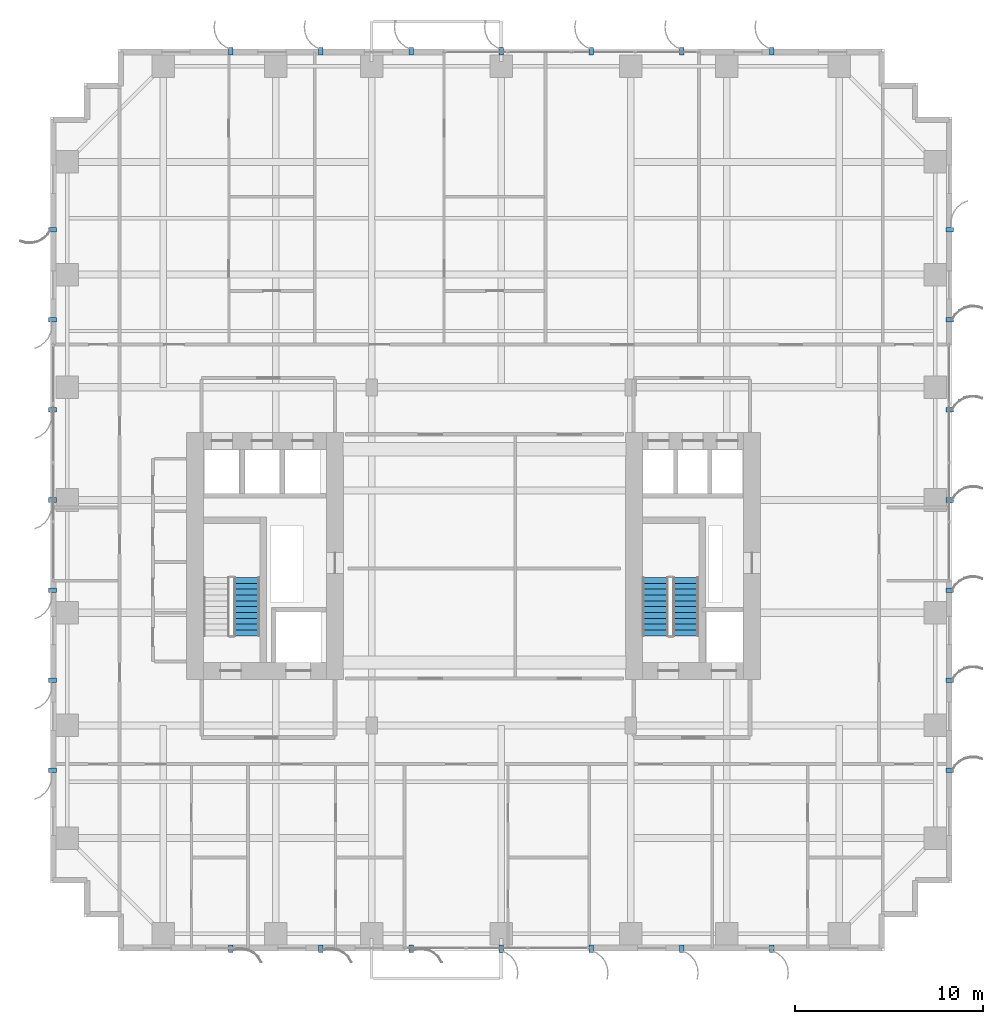
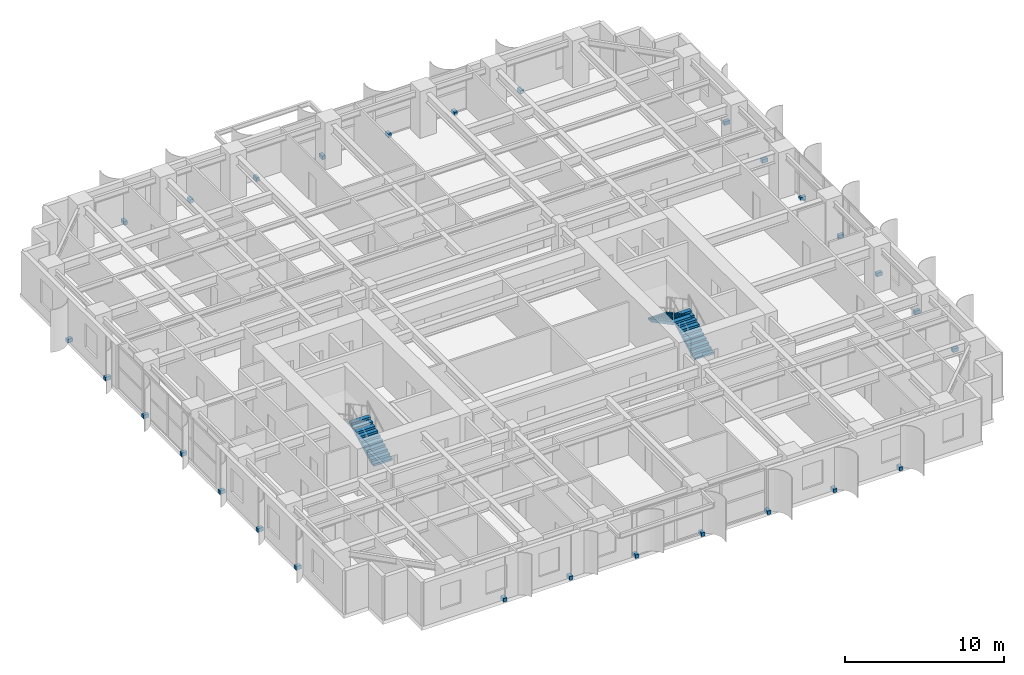
# One storey, part 19 of 22: 28 discrete accessories, 3 stair flights, 2 elements without a shape of their own.
"""IFC4 building model written with IfcOpenShell, lengths in metres."""

from ifc_helpers import new_model, si_unit, direction, frame, origin, origin_2d, place, context, subcontext, project, spatial, polyline, rectangle, outline, extrude, source, transform, mapped, material, type_object, element, aggregate, save


model = new_model("IFC4")

# Units and contexts
model_context = context("Model", 3, precision=1e-05, world=origin(), true_north=direction((0.0, 1.0)))
body_context = subcontext(model_context, "Body", "Model", "MODEL_VIEW")
ifc_project = project(units=[si_unit("LENGTHUNIT", "METRE"), si_unit("AREAUNIT", "SQUARE_METRE"), si_unit("VOLUMEUNIT", "CUBIC_METRE"), si_unit("PLANEANGLEUNIT", "RADIAN"), si_unit("MASSUNIT", "GRAM", prefix="KILO")], contexts=[model_context])

# Site, building, storey
site_placement = place(None, origin())
site = spatial("IfcSite", under=ifc_project, at=site_placement, CompositionType="ELEMENT")
building_placement = place(site_placement, origin())
building = spatial("IfcBuilding", under=site, at=building_placement, Name="Khoralis Quay Care Tower", CompositionType="ELEMENT")
storey_placement = place(building_placement, frame((0.0, 0.0, 44.10009765625)))
storey = spatial("IfcBuildingStorey", under=building, at=storey_placement, Name="L11", CompositionType="ELEMENT", Elevation=44.10009765625)

# Stair, stair flight
ifc_material_1 = material(Name="Precast concrete C45/55", Category="concrete")
stair_type = type_object("IfcStairType", Name="ST-TWR-DOGLEG-1400", PredefinedType="HALF_TURN_STAIR", material=ifc_material_1)
stair_1_placement = place(storey_placement, origin())
stair_1 = element("IfcStair", 1, at=stair_1_placement, inside=storey, type_object=stair_type, Name="L11 West Core Exit Stair ST-T1", PredefinedType="HALF_TURN_STAIR")
stair_flight_type = type_object("IfcStairFlightType", Name="SF-TWR-1400", PredefinedType="STRAIGHT", material=ifc_material_1)
shared_shape_1 = source(origin(), body_context, "Body", "SweptSolid", [
    extrude(outline(polyline([(0.0, 0.0), (0.0, 0.16357421875), (0.31005859375, 0.16357421875), (0.31005859375, 0.327392578125), (0.6201171875, 0.327392578125), (0.6201171875, 0.490966796875), (0.929931640625, 0.490966796875), (0.929931640625, 0.654541015625), (1.239990234375, 0.654541015625), (1.239990234375, 0.818115234375), (1.550048828125, 0.818115234375), (1.550048828125, 0.98193359375), (1.860107421875, 0.98193359375), (1.860107421875, 1.1455078125), (2.169921875, 1.1455078125), (2.169921875, 1.30908203125), (2.47998046875, 1.30908203125), (2.47998046875, 1.47265625), (2.7900390625, 1.47265625), (2.7900390625, 1.636474609375), (3.10009765625, 1.636474609375), (3.10009765625, 1.800048828125), (3.10009765625, 1.466796875), (0.321044921875, 0.0), (0.0, 0.0)])), frame((0.0, 0.68994140625, 0.0), z_axis=(0.0, -1.0, 0.0), x_axis=(1.0, 0.0, 0.0)), (0.0, 0.0, 1.0), 1.3798828125),
])
stair_flight_1_placement = place(storey_placement, frame((10.4599609375, 16.77001953125, 0.0), z_axis=(0.0, 0.0, 1.0), x_axis=(0.0, 1.0, 0.0)))
stair_flight_1 = element("IfcStairFlight", 2, at=stair_flight_1_placement, type_object=stair_flight_type, Name="ST-T1 flight 1", NumberOfRisers=11, NumberOfTreads=10, PredefinedType="STRAIGHT", RiserHeight=0.163636364, TreadLength=0.31, context=body_context, shape_type="MappedRepresentation", body=[
    mapped(shared_shape_1, transform((0.0, 0.0, 0.0), scale=1.0)),
])
aggregate(stair_1, [stair_flight_1])

# Stair, stair flights
stair_2_placement = place(storey_placement, origin())
stair_2 = element("IfcStair", 3, at=stair_2_placement, inside=storey, type_object=stair_type, Name="L11 East Core Exit Stair ST-T2", PredefinedType="HALF_TURN_STAIR")
stair_flight_2_placement = place(storey_placement, frame((33.830078125, 16.77001953125, 0.0), z_axis=(0.0, 0.0, 1.0), x_axis=(0.0, 1.0, 0.0)))
stair_flight_2 = element("IfcStairFlight", 4, at=stair_flight_2_placement, type_object=stair_flight_type, Name="ST-T2 flight 1", NumberOfRisers=11, NumberOfTreads=10, PredefinedType="STRAIGHT", RiserHeight=0.163636364, TreadLength=0.31, context=body_context, shape_type="MappedRepresentation", body=[
    mapped(shared_shape_1, transform((0.0, 0.0, 0.0), scale=1.0)),
])
stair_flight_3_placement = place(storey_placement, frame((32.2099609375, 19.8701171875, 1.7998046875), z_axis=(0.0, 0.0, 1.0), x_axis=(0.0, -1.0, 0.0)))
stair_flight_3 = element("IfcStairFlight", 5, at=stair_flight_3_placement, type_object=stair_flight_type, Name="ST-T2 flight 2", NumberOfRisers=11, NumberOfTreads=10, PredefinedType="STRAIGHT", RiserHeight=0.163636364, TreadLength=0.31, context=body_context, shape_type="MappedRepresentation", body=[
    mapped(shared_shape_1, transform((0.0, 0.0, 0.0), scale=1.0)),
])
aggregate(stair_2, [stair_flight_2, stair_flight_3])

# Discrete accessories
ifc_material_2 = material(Name="Brushed stainless steel", Category="steel")
discrete_accessory_type = type_object("IfcDiscreteAccessoryType", Name="ACC-FIN-BRACKET", PredefinedType="BRACKET", material=ifc_material_2)
shared_shape_2 = source(origin(), body_context, "Body", "SweptSolid", [
    extrude(rectangle(XDim=0.39990234375, YDim=0.239990234375, at=origin_2d()), origin(), (0.0, 0.0, 1.0), 0.280029296875),
])
for number, where, z_axis, x_axis, name in (
    (6, (9.60009765625, 0.110107421875, -0.1201171875), (0.0, 0.0, 1.0), (0.0, -1.0, 0.0), "L11 Solar Fin Bracket P1E0-01"),
    (7, (14.39990234375, 0.110107421875, -0.1201171875), (0.0, 0.0, 1.0), (0.0, -1.0, 0.0), "L11 Solar Fin Bracket P1E0-02"),
    (8, (19.199951171875, 0.110107421875, -0.1201171875), (0.0, 0.0, 1.0), (0.0, -1.0, 0.0), "L11 Solar Fin Bracket P1E0-03"),
    (9, (24.0, 0.110107421875, -0.1201171875), (0.0, 0.0, 1.0), (0.0, -1.0, 0.0), "L11 Solar Fin Bracket P1E0-04"),
    (10, (28.800048828125, 0.110107421875, -0.1201171875), (0.0, 0.0, 1.0), (0.0, -1.0, 0.0), "L11 Solar Fin Bracket P1E0-05"),
    (11, (33.60009765625, 0.110107421875, -0.1201171875), (0.0, 0.0, 1.0), (0.0, -1.0, 0.0), "L11 Solar Fin Bracket P1E0-06"),
    (12, (38.39990234375, 0.110107421875, -0.1201171875), (0.0, 0.0, 1.0), (0.0, -1.0, 0.0), "L11 Solar Fin Bracket P1E0-07"),
    (13, (47.889892578125, 9.60009765625, -0.1201171875), (0.0, 0.0, 1.0), (1.0, 0.0, 0.0), "L11 Solar Fin Bracket P1E5-01"),
    (14, (47.889892578125, 14.39990234375, -0.1201171875), (0.0, 0.0, 1.0), (1.0, 0.0, 0.0), "L11 Solar Fin Bracket P1E5-02"),
    (15, (47.889892578125, 19.199951171875, -0.1201171875), (0.0, 0.0, 1.0), (1.0, 0.0, 0.0), "L11 Solar Fin Bracket P1E5-03"),
    (16, (47.889892578125, 24.0, -0.1201171875), (0.0, 0.0, 1.0), (1.0, 0.0, 0.0), "L11 Solar Fin Bracket P1E5-04"),
    (17, (47.889892578125, 28.800048828125, -0.1201171875), (0.0, 0.0, 1.0), (1.0, 0.0, 0.0), "L11 Solar Fin Bracket P1E5-05"),
    (18, (47.889892578125, 33.60009765625, -0.1201171875), (0.0, 0.0, 1.0), (1.0, 0.0, 0.0), "L11 Solar Fin Bracket P1E5-06"),
    (19, (47.889892578125, 38.39990234375, -0.1201171875), (0.0, 0.0, 1.0), (1.0, 0.0, 0.0), "L11 Solar Fin Bracket P1E5-07"),
    (20, (38.39990234375, 47.889892578125, -0.1201171875), (0.0, 0.0, 1.0), (0.0, 1.0, 0.0), "L11 Solar Fin Bracket P1E10-01"),
    (21, (33.60009765625, 47.889892578125, -0.1201171875), (0.0, 0.0, 1.0), (0.0, 1.0, 0.0), "L11 Solar Fin Bracket P1E10-02"),
    (22, (28.800048828125, 47.889892578125, -0.1201171875), (0.0, 0.0, 1.0), (0.0, 1.0, 0.0), "L11 Solar Fin Bracket P1E10-03"),
    (23, (24.0, 47.889892578125, -0.1201171875), (0.0, 0.0, 1.0), (0.0, 1.0, 0.0), "L11 Solar Fin Bracket P1E10-04"),
    (24, (19.199951171875, 47.889892578125, -0.1201171875), (0.0, 0.0, 1.0), (0.0, 1.0, 0.0), "L11 Solar Fin Bracket P1E10-05"),
    (25, (14.39990234375, 47.889892578125, -0.1201171875), (0.0, 0.0, 1.0), (0.0, 1.0, 0.0), "L11 Solar Fin Bracket P1E10-06"),
    (26, (9.60009765625, 47.889892578125, -0.1201171875), (0.0, 0.0, 1.0), (0.0, 1.0, 0.0), "L11 Solar Fin Bracket P1E10-07"),
    (27, (0.110107421875, 38.39990234375, -0.1201171875), (0.0, 0.0, 1.0), (-1.0, 0.0, 0.0), "L11 Solar Fin Bracket P1E15-01"),
    (28, (0.110107421875, 33.60009765625, -0.1201171875), (0.0, 0.0, 1.0), (-1.0, 0.0, 0.0), "L11 Solar Fin Bracket P1E15-02"),
    (29, (0.110107421875, 28.800048828125, -0.1201171875), (0.0, 0.0, 1.0), (-1.0, 0.0, 0.0), "L11 Solar Fin Bracket P1E15-03"),
    (30, (0.110107421875, 24.0, -0.1201171875), (0.0, 0.0, 1.0), (-1.0, 0.0, 0.0), "L11 Solar Fin Bracket P1E15-04"),
    (31, (0.110107421875, 19.199951171875, -0.1201171875), (0.0, 0.0, 1.0), (-1.0, 0.0, 0.0), "L11 Solar Fin Bracket P1E15-05"),
    (32, (0.110107421875, 14.39990234375, -0.1201171875), (0.0, 0.0, 1.0), (-1.0, 0.0, 0.0), "L11 Solar Fin Bracket P1E15-06"),
    (33, (0.110107421875, 9.60009765625, -0.1201171875), (0.0, 0.0, 1.0), (-1.0, 0.0, 0.0), "L11 Solar Fin Bracket P1E15-07"),
):
    element("IfcDiscreteAccessory", number, at=place(storey_placement, frame(where, z_axis=z_axis, x_axis=x_axis)), inside=storey, type_object=discrete_accessory_type, Name=name, PredefinedType="BRACKET", context=body_context, shape_type="MappedRepresentation", body=[
        mapped(shared_shape_2, transform((0.0, 0.0, 0.0), scale=1.0)),
    ])

save(model, "model.ifc")
